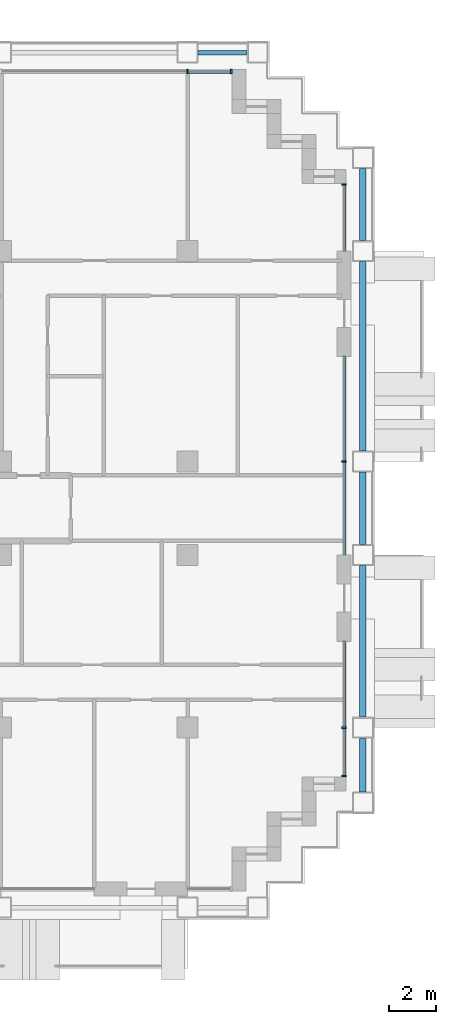
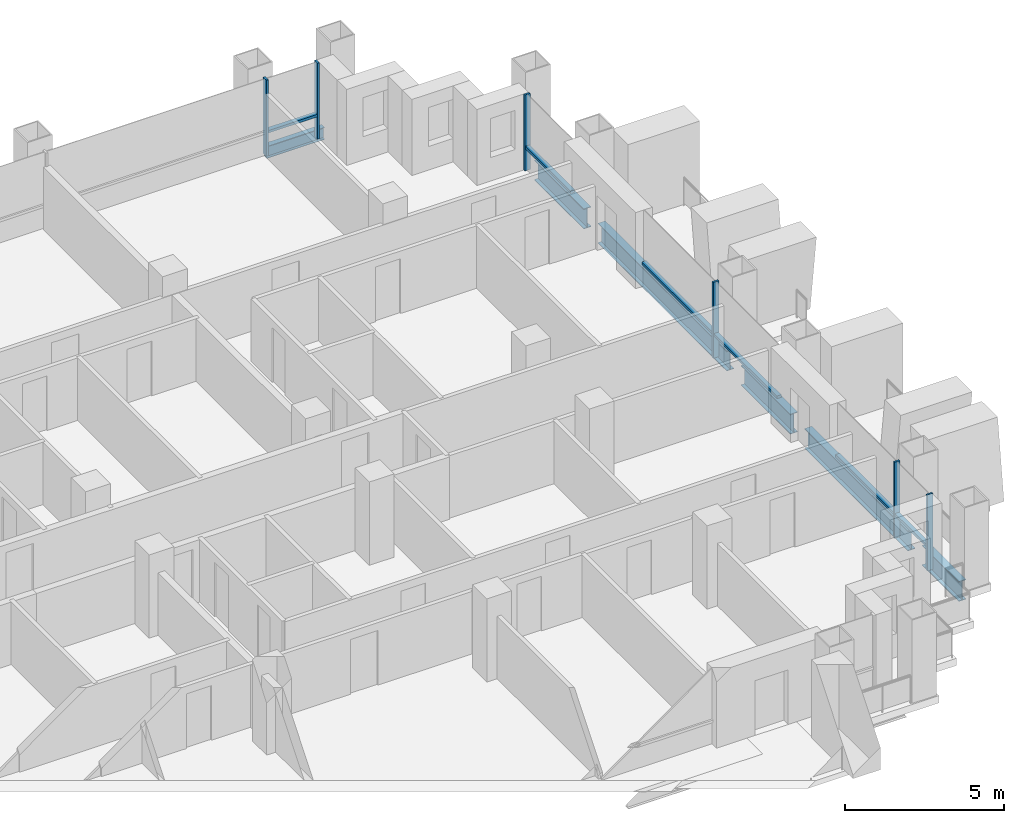
# One storey, part 6 of 17: 12 members, 6 beams, 4 elements without a shape of their own.
"""IFC4 building model written with IfcOpenShell, lengths in metres."""

from ifc_helpers import new_model, si_unit, direction, frame, origin, origin_2d, place, context, subcontext, project, spatial, rectangle, i_section, extrude, material, material_profile, profile_set, type_object, element, aggregate, save


model = new_model("IFC4")

# Units and contexts
model_context = context("Model", 3, precision=1e-05, world=origin(), true_north=direction((0.0, 1.0)))
body_context = subcontext(model_context, "Body", "Model", "MODEL_VIEW")
ifc_project = project(units=[si_unit("LENGTHUNIT", "METRE"), si_unit("AREAUNIT", "SQUARE_METRE"), si_unit("VOLUMEUNIT", "CUBIC_METRE"), si_unit("PLANEANGLEUNIT", "RADIAN"), si_unit("MASSUNIT", "GRAM", prefix="KILO")], contexts=[model_context])

# Site, building, storey
site_placement = place(None, origin())
site = spatial("IfcSite", under=ifc_project, at=site_placement, CompositionType="ELEMENT")
building_placement = place(site_placement, origin())
building = spatial("IfcBuilding", under=site, at=building_placement, Name="Vidyagriha Tower", CompositionType="ELEMENT")
storey_placement = place(building_placement, frame((0.0, 0.0, 96.699951171875)))
storey = spatial("IfcBuildingStorey", under=building, at=storey_placement, Name="L25", CompositionType="ELEMENT", Elevation=96.699951171875)

# Beams
ifc_material_1 = material(Name="Steel ASTM A992 Grade 50", Category="steel")
ifc_material_profile_1 = material_profile(ifc_material_1, i_section(OverallWidth=0.2666015625, OverallDepth=0.76953125, WebThickness=0.015625, FlangeThickness=0.025390625, at=origin_2d()), Name="W30X132")
ifc_profile_set_1 = profile_set([ifc_material_profile_1], Name="Steel ASTM A992 Grade 50")
beam_type_1 = type_object("IfcBeamType", Name="Cantilever edge beam W30X132", PredefinedType="SPANDREL", material=ifc_profile_set_1)
beam_1_placement = place(storey_placement, frame((41.5, -12.14990234375, -0.664794921875), z_axis=(0.0, 1.0, 0.0), x_axis=(-1.0, 0.0, 0.0)))
element("IfcBeam", 1, at=beam_1_placement, inside=storey, type_object=beam_type_1, Name="st-beam-L25-E15", PredefinedType="SPANDREL", context=body_context, shape_type="SweptSolid", body=[
    extrude(i_section(OverallWidth=0.2666015625, OverallDepth=0.76953125, WebThickness=0.015625, FlangeThickness=0.025390625, at=origin_2d()), origin(), (0.0, 0.0, 1.0), 2.2998046875),
])
beam_2_placement = place(storey_placement, frame((41.5, -8.949951171875, -0.664794921875), z_axis=(0.0, 1.0, 0.0), x_axis=(-1.0, 0.0, 0.0)))
element("IfcBeam", 2, at=beam_2_placement, inside=storey, type_object=beam_type_1, Name="st-beam-L25-E16", PredefinedType="SPANDREL", context=body_context, shape_type="SweptSolid", body=[
    extrude(i_section(OverallWidth=0.2666015625, OverallDepth=0.76953125, WebThickness=0.015625, FlangeThickness=0.025390625, at=origin_2d()), origin(), (0.0, 0.0, 1.0), 6.5),
])
beam_3_placement = place(storey_placement, frame((41.5, -1.550048828125, -0.664794921875), z_axis=(0.0, 1.0, 0.0), x_axis=(-1.0, 0.0, 0.0)))
element("IfcBeam", 3, at=beam_3_placement, inside=storey, type_object=beam_type_1, Name="st-beam-L25-E17", PredefinedType="SPANDREL", context=body_context, shape_type="SweptSolid", body=[
    extrude(i_section(OverallWidth=0.2666015625, OverallDepth=0.76953125, WebThickness=0.015625, FlangeThickness=0.025390625, at=origin_2d()), origin(), (0.0, 0.0, 1.0), 3.10009765625),
])
beam_4_placement = place(storey_placement, frame((41.5, 2.449951171875, -0.664794921875), z_axis=(0.0, 1.0, 0.0), x_axis=(-1.0, 0.0, 0.0)))
element("IfcBeam", 4, at=beam_4_placement, inside=storey, type_object=beam_type_1, Name="st-beam-L25-E18", PredefinedType="SPANDREL", context=body_context, shape_type="SweptSolid", body=[
    extrude(i_section(OverallWidth=0.2666015625, OverallDepth=0.76953125, WebThickness=0.015625, FlangeThickness=0.025390625, at=origin_2d()), origin(), (0.0, 0.0, 1.0), 8.10009765625),
])
beam_5_placement = place(storey_placement, frame((41.5, 11.449951171875, -0.664794921875), z_axis=(0.0, 1.0, 0.0), x_axis=(-1.0, 0.0, 0.0)))
element("IfcBeam", 5, at=beam_5_placement, inside=storey, type_object=beam_type_1, Name="st-beam-L25-E19", PredefinedType="SPANDREL", context=body_context, shape_type="SweptSolid", body=[
    extrude(i_section(OverallWidth=0.2666015625, OverallDepth=0.76953125, WebThickness=0.015625, FlangeThickness=0.025390625, at=origin_2d()), origin(), (0.0, 0.0, 1.0), 3.10009765625),
])
ifc_material_2 = material(Name="Steel ASTM A992 Grade 50", Category="steel")
ifc_material_profile_2 = material_profile(ifc_material_2, i_section(OverallWidth=0.19189453125, OverallDepth=0.46240234375, WebThickness=0.010498046875, FlangeThickness=0.017578125, at=origin_2d()), Name="W18X60")
ifc_profile_set_2 = profile_set([ifc_material_profile_2], Name="Steel ASTM A992 Grade 50")
beam_type_2 = type_object("IfcBeamType", Name="Edge beam W18X60", PredefinedType="SPANDREL", material=ifc_profile_set_2)
beam_6_placement = place(storey_placement, frame((34.449951171875, 19.5, -0.510986328125), z_axis=(1.0, 0.0, 0.0), x_axis=(0.0, 1.0, 0.0)))
element("IfcBeam", 6, at=beam_6_placement, inside=storey, type_object=beam_type_2, Name="st-beam-L25-NE23", PredefinedType="SPANDREL", context=body_context, shape_type="SweptSolid", body=[
    extrude(i_section(OverallWidth=0.19189453125, OverallDepth=0.46240234375, WebThickness=0.010498046875, FlangeThickness=0.017578125, at=origin_2d()), origin(), (0.0, 0.0, 1.0), 2.10009765625),
])

# Curtain wall, members
ifc_material_3 = material(Name="Aluminium and glass curtain wall", Category="aluminium")
curtain_wall_type = type_object("IfcCurtainWallType", Name="Dwelling skin unitised curtain wall", PredefinedType="USERDEFINED", material=ifc_material_3)
curtain_wall_1_placement = place(storey_placement, origin())
curtain_wall_1 = element("IfcCurtainWall", 7, at=curtain_wall_1_placement, inside=storey, type_object=curtain_wall_type, Name="CW1 dwelling skin", ObjectType="UNITISED", PredefinedType="USERDEFINED")
ifc_material_4 = material(Name="Aluminium black anodised", Category="aluminium")
ifc_material_profile_3 = material_profile(ifc_material_4, rectangle(XDim=0.199951171875, YDim=0.070068359375, at=origin_2d()), Name="Mullion 70x200 black aluminium")
ifc_profile_set_3 = profile_set([ifc_material_profile_3], Name="Aluminium black anodised")
member_type_1 = type_object("IfcMemberType", Name="Mullion 70x200 black aluminium", PredefinedType="MULLION", material=ifc_profile_set_3)
member_1_placement = place(storey_placement, frame((35.864990234375, 18.699951171875, 0.0), z_axis=(0.0, 0.0, 1.0), x_axis=(0.0, -1.0, 0.0)))
member_1 = element("IfcMember", 8, at=member_1_placement, type_object=member_type_1, Name="CW1 mullion 1", PredefinedType="MULLION", context=body_context, shape_type="SweptSolid", body=[
    extrude(rectangle(XDim=0.199951171875, YDim=0.070068359375, at=origin_2d()), origin(), (0.0, 0.0, 1.0), 2.920166015625),
])
member_2_placement = place(storey_placement, frame((34.0, 18.699951171875, 0.0), z_axis=(0.0, 0.0, 1.0), x_axis=(0.0, -1.0, 0.0)))
member_2 = element("IfcMember", 9, at=member_2_placement, type_object=member_type_1, Name="CW1 mullion 2", PredefinedType="MULLION", context=body_context, shape_type="SweptSolid", body=[
    extrude(rectangle(XDim=0.199951171875, YDim=0.070068359375, at=origin_2d()), origin(), (0.0, 0.0, 1.0), 2.920166015625),
])

curtain_wall_2_placement = place(storey_placement, origin())
curtain_wall_2 = element("IfcCurtainWall", 10, at=curtain_wall_2_placement, inside=storey, type_object=curtain_wall_type, Name="CW1 dwelling skin", ObjectType="UNITISED", PredefinedType="USERDEFINED")
member_3_placement = place(storey_placement, frame((40.699951171875, -11.465087890625, 0.0), z_axis=(0.0, 0.0, 1.0), x_axis=(-1.0, 0.0, 0.0)))
member_3 = element("IfcMember", 11, at=member_3_placement, type_object=member_type_1, Name="CW1 mullion 1", PredefinedType="MULLION", context=body_context, shape_type="SweptSolid", body=[
    extrude(rectangle(XDim=0.199951171875, YDim=0.070068359375, at=origin_2d()), origin(), (0.0, 0.0, 1.0), 2.920166015625),
])
member_4_placement = place(storey_placement, frame((40.699951171875, -9.39990234375, 0.0), z_axis=(0.0, 0.0, 1.0), x_axis=(-1.0, 0.0, 0.0)))
member_4 = element("IfcMember", 12, at=member_4_placement, type_object=member_type_1, Name="CW1 mullion 2", PredefinedType="MULLION", context=body_context, shape_type="SweptSolid", body=[
    extrude(rectangle(XDim=0.199951171875, YDim=0.070068359375, at=origin_2d()), origin(), (0.0, 0.0, 1.0), 2.920166015625),
])

# Curtain wall, member
curtain_wall_3_placement = place(storey_placement, origin())
curtain_wall_3 = element("IfcCurtainWall", 13, at=curtain_wall_3_placement, inside=storey, type_object=curtain_wall_type, Name="CW1 dwelling skin", ObjectType="UNITISED", PredefinedType="USERDEFINED")
member_5_placement = place(storey_placement, frame((40.699951171875, 2.0, 0.0), z_axis=(0.0, 0.0, 1.0), x_axis=(-1.0, 0.0, 0.0)))
member_5 = element("IfcMember", 14, at=member_5_placement, type_object=member_type_1, Name="CW1 mullion 2", PredefinedType="MULLION", context=body_context, shape_type="SweptSolid", body=[
    extrude(rectangle(XDim=0.199951171875, YDim=0.070068359375, at=origin_2d()), origin(), (0.0, 0.0, 1.0), 2.920166015625),
])

curtain_wall_4_placement = place(storey_placement, origin())
curtain_wall_4 = element("IfcCurtainWall", 15, at=curtain_wall_4_placement, inside=storey, type_object=curtain_wall_type, Name="CW1 dwelling skin", ObjectType="UNITISED", PredefinedType="USERDEFINED")
member_6_placement = place(storey_placement, frame((40.699951171875, 13.864990234375, 0.0), z_axis=(0.0, 0.0, 1.0), x_axis=(-1.0, 0.0, 0.0)))
member_6 = element("IfcMember", 16, at=member_6_placement, type_object=member_type_1, Name="CW1 mullion 2", PredefinedType="MULLION", context=body_context, shape_type="SweptSolid", body=[
    extrude(rectangle(XDim=0.199951171875, YDim=0.070068359375, at=origin_2d()), origin(), (0.0, 0.0, 1.0), 2.920166015625),
])

# Member
ifc_material_5 = material(Name="Aluminium black anodised", Category="aluminium")
ifc_material_profile_4 = material_profile(ifc_material_5, rectangle(XDim=0.159912109375, YDim=0.10009765625, at=origin_2d()), Name="Transom 100x160 black aluminium")
ifc_profile_set_4 = profile_set([ifc_material_profile_4], Name="Aluminium black anodised")
member_type_2 = type_object("IfcMemberType", Name="Transom 100x160 black aluminium", PredefinedType="USERDEFINED", material=ifc_profile_set_4)
member_7_placement = place(storey_placement, frame((35.830078125, 18.699951171875, 0.900146484375), z_axis=(-1.0, 0.0, 0.0), x_axis=(0.0, -1.0, 0.0)))
member_7 = element("IfcMember", 17, at=member_7_placement, type_object=member_type_2, Name="CW1 transom 1.1", ObjectType="TRANSOM", PredefinedType="USERDEFINED", context=body_context, shape_type="SweptSolid", body=[
    extrude(rectangle(XDim=0.159912109375, YDim=0.10009765625, at=origin_2d()), origin(), (0.0, 0.0, 1.0), 1.795166015625),
])

aggregate(curtain_wall_1, [member_1, member_2, member_7])

member_8_placement = place(storey_placement, frame((40.699951171875, -11.429931640625, 0.900146484375), z_axis=(0.0, 1.0, 0.0), x_axis=(-1.0, 0.0, 0.0)))
member_8 = element("IfcMember", 18, at=member_8_placement, type_object=member_type_2, Name="CW1 transom 1.1", ObjectType="TRANSOM", PredefinedType="USERDEFINED", context=body_context, shape_type="SweptSolid", body=[
    extrude(rectangle(XDim=0.159912109375, YDim=0.10009765625, at=origin_2d()), origin(), (0.0, 0.0, 1.0), 1.994873046875),
])

member_9_placement = place(storey_placement, frame((40.699951171875, -9.364990234375, 0.900146484375), z_axis=(0.0, 1.0, 0.0), x_axis=(-1.0, 0.0, 0.0)))
member_9 = element("IfcMember", 19, at=member_9_placement, type_object=member_type_2, Name="CW1 transom 2.1", ObjectType="TRANSOM", PredefinedType="USERDEFINED", context=body_context, shape_type="SweptSolid", body=[
    extrude(rectangle(XDim=0.159912109375, YDim=0.10009765625, at=origin_2d()), origin(), (0.0, 0.0, 1.0), 3.6650390625),
])

aggregate(curtain_wall_2, [member_3, member_4, member_8, member_9])

member_10_placement = place(storey_placement, frame((40.699951171875, -2.0, 0.900146484375), z_axis=(0.0, 1.0, 0.0), x_axis=(-1.0, 0.0, 0.0)))
member_10 = element("IfcMember", 20, at=member_10_placement, type_object=member_type_2, Name="CW1 transom 1.1", ObjectType="TRANSOM", PredefinedType="USERDEFINED", context=body_context, shape_type="SweptSolid", body=[
    extrude(rectangle(XDim=0.159912109375, YDim=0.10009765625, at=origin_2d()), origin(), (0.0, 0.0, 1.0), 3.965087890625),
])

member_11_placement = place(storey_placement, frame((40.699951171875, 2.034912109375, 0.900146484375), z_axis=(0.0, 1.0, 0.0), x_axis=(-1.0, 0.0, 0.0)))
member_11 = element("IfcMember", 21, at=member_11_placement, type_object=member_type_2, Name="CW1 transom 2.1", ObjectType="TRANSOM", PredefinedType="USERDEFINED", context=body_context, shape_type="SweptSolid", body=[
    extrude(rectangle(XDim=0.159912109375, YDim=0.10009765625, at=origin_2d()), origin(), (0.0, 0.0, 1.0), 4.465087890625),
])

aggregate(curtain_wall_3, [member_5, member_10, member_11])

member_12_placement = place(storey_placement, frame((40.699951171875, 11.0, 0.900146484375), z_axis=(0.0, 1.0, 0.0), x_axis=(-1.0, 0.0, 0.0)))
member_12 = element("IfcMember", 22, at=member_12_placement, type_object=member_type_2, Name="CW1 transom 1.1", ObjectType="TRANSOM", PredefinedType="USERDEFINED", context=body_context, shape_type="SweptSolid", body=[
    extrude(rectangle(XDim=0.159912109375, YDim=0.10009765625, at=origin_2d()), origin(), (0.0, 0.0, 1.0), 2.830078125),
])

aggregate(curtain_wall_4, [member_6, member_12])

save(model, "model.ifc")
